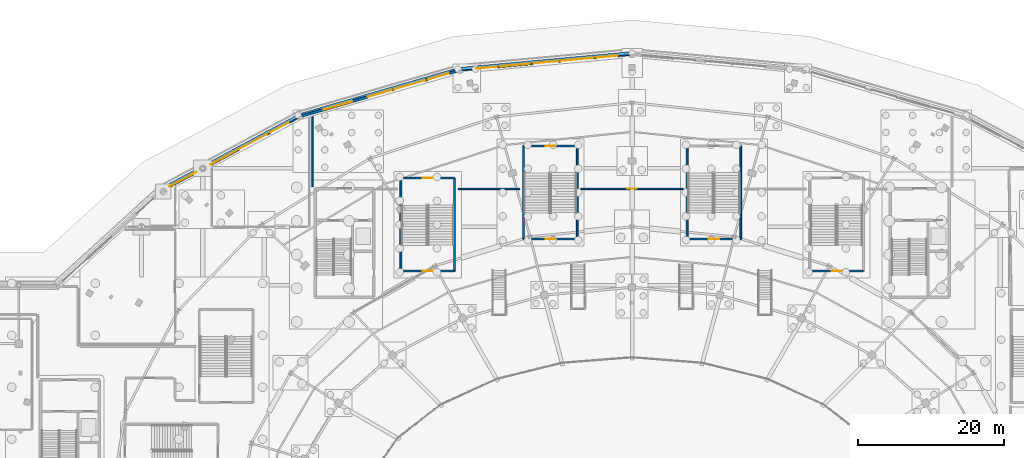
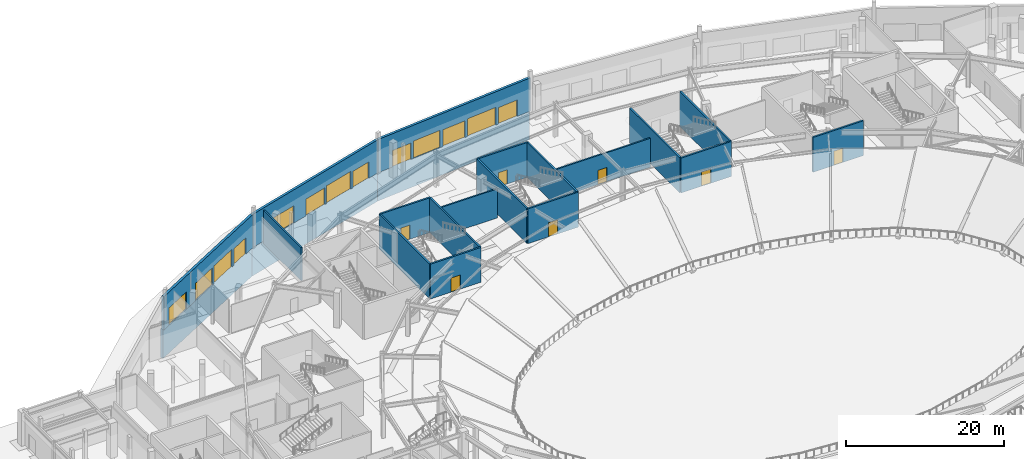
# One storey, part 58 of 93: 21 walls, 20 doors, 20 openings.
"""IFC4 building model written with IfcOpenShell, lengths in metres."""

from ifc_helpers import new_model, si_unit, direction, frame, frame_2d, origin, place, context, subcontext, project, spatial, rectangle, extrude, material, layer, layer_set, type_object, element, fill, save


model = new_model("IFC4")

# Units and contexts
model_context = context("Model", 3, precision=1e-05, world=origin(), true_north=direction((0.0, 1.0)))
body_context = subcontext(model_context, "Body", "Model", "MODEL_VIEW")
ifc_project = project(units=[si_unit("LENGTHUNIT", "METRE"), si_unit("AREAUNIT", "SQUARE_METRE"), si_unit("VOLUMEUNIT", "CUBIC_METRE"), si_unit("PLANEANGLEUNIT", "RADIAN"), si_unit("MASSUNIT", "GRAM", prefix="KILO")], contexts=[model_context])

# Site, building, storey
site_placement = place(None, origin())
site = spatial("IfcSite", under=ifc_project, at=site_placement, CompositionType="ELEMENT")
building_placement = place(site_placement, origin())
building = spatial("IfcBuilding", under=site, at=building_placement, Name="Kalgoora Escarpment Arena", CompositionType="ELEMENT")
storey_placement = place(building_placement, origin())
storey = spatial("IfcBuildingStorey", under=building, at=storey_placement, Name="L00", CompositionType="ELEMENT", Elevation=0.0)

# Wall, openings, doors
ifc_material_1 = material(Name="Cream limestone-faced precast concrete 40 MPa", Category="masonry")
ifc_layer_1 = layer(ifc_material_1, 0.360107421875)
ifc_layer_set_1 = layer_set([ifc_layer_1], Name="WAL-EXT-360")
wall_type_1 = type_object("IfcWallType", Name="WAL-EXT-360", PredefinedType="SOLIDWALL", material=ifc_layer_set_1)
wall_1_placement = place(storey_placement, frame((27.958984375, 108.934326171875, 0.0), z_axis=(0.0, 0.0, 1.0), x_axis=(0.88108153149, 0.47296441184, 0.0)))
wall_1 = element("IfcWall", 1, at=wall_1_placement, inside=storey, type_object=wall_type_1, Name="L00 limestone-faced external wall 014", PredefinedType="SOLIDWALL", context=body_context, shape_type="SweptSolid", body=[
    extrude(rectangle(XDim=21.523681640625, YDim=0.360107421875, at=frame_2d((10.76171875, 0.0))), origin(), (0.0, 0.0, 1.0), 5.14990234375),
])
opening_1_placement = place(wall_1_placement, frame((1.219970703125, 0.0, 0.0)))
opening_1 = element("IfcOpeningElement", 2, at=opening_1_placement, cuts=wall_1, Name="Opening G31", PredefinedType="OPENING", context=body_context, shape_type="SweptSolid", body=[
    extrude(rectangle(XDim=4.199951171875, YDim=2.699951171875, at=frame_2d((2.10009765625, 1.35009765625))), frame((0.0, 0.18994140625, 0.0), z_axis=(0.0, -1.0, 0.0), x_axis=(1.0, 0.0, 0.0)), (0.0, 0.0, 1.0), 0.380126953125),
])
opening_2_placement = place(wall_1_placement, frame((7.60009765625, 0.0, 0.0)))
opening_2 = element("IfcOpeningElement", 3, at=opening_2_placement, cuts=wall_1, Name="Opening G32", PredefinedType="OPENING", context=body_context, shape_type="SweptSolid", body=[
    extrude(rectangle(XDim=4.10009765625, YDim=2.699951171875, at=frame_2d((2.050048828125, 1.35009765625))), frame((0.0, 0.18994140625, 0.0), z_axis=(0.0, -1.0, 0.0), x_axis=(1.0, 0.0, 0.0)), (0.0, 0.0, 1.0), 0.380126953125),
])
opening_3_placement = place(wall_1_placement, frame((12.0, 0.0, 0.0)))
opening_3 = element("IfcOpeningElement", 4, at=opening_3_placement, cuts=wall_1, Name="Opening G33", PredefinedType="OPENING", context=body_context, shape_type="SweptSolid", body=[
    extrude(rectangle(XDim=4.39990234375, YDim=2.75, at=frame_2d((2.199951171875, 1.375))), frame((0.0, 0.18994140625, 0.0), z_axis=(0.0, -1.0, 0.0), x_axis=(1.0, 0.0, 0.0)), (0.0, 0.0, 1.0), 0.380126953125),
])
opening_4_placement = place(wall_1_placement, frame((16.840087890625, 0.0, 0.0)))
opening_4 = element("IfcOpeningElement", 5, at=opening_4_placement, cuts=wall_1, Name="Opening G58", PredefinedType="OPENING", context=body_context, shape_type="SweptSolid", body=[
    extrude(rectangle(XDim=2.89990234375, YDim=2.550048828125, at=frame_2d((1.449951171875, 1.27490234375))), frame((0.0, 0.18994140625, 0.0), z_axis=(0.0, -1.0, 0.0), x_axis=(1.0, 0.0, 0.0)), (0.0, 0.0, 1.0), 0.380126953125),
])
ifc_material_2 = material(Name="Champagne anodised aluminium acoustic egress leaf", Category="aluminium")
door_type_1 = type_object("IfcDoorType", Name="DR-EGEXIT-2700", OperationType="NOTDEFINED", PredefinedType="DOOR", material=ifc_material_2)
door_1_placement = place(opening_2_placement, origin())
door_1 = element("IfcDoor", 6, at=door_1_placement, inside=storey, type_object=door_type_1, Name="Final pedestrian exit door G32", OperationType="DOUBLE_DOOR_SINGLE_SWING", OverallHeight=2.699951171875, OverallWidth=4.10009765625, PredefinedType="DOOR", context=body_context, shape_type="SweptSolid", body=[
    extrude(rectangle(XDim=4.10009765625, YDim=2.699951171875, at=frame_2d((2.050048828125, 1.35009765625))), frame((0.0, 0.02490234375, 0.0), z_axis=(0.0, -1.0, 0.0), x_axis=(1.0, 0.0, 0.0)), (0.0, 0.0, 1.0), 0.050048828125),
])
fill(opening_2, door_1)
ifc_material_3 = material(Name="Champagne anodised aluminium acoustic egress leaf", Category="aluminium")
door_type_2 = type_object("IfcDoorType", Name="DR-EGEXIT-2750", OperationType="NOTDEFINED", PredefinedType="DOOR", material=ifc_material_3)
door_2_placement = place(opening_1_placement, origin())
door_2 = element("IfcDoor", 7, at=door_2_placement, inside=storey, type_object=door_type_2, Name="Final pedestrian exit door G31", OperationType="DOUBLE_DOOR_SINGLE_SWING", OverallHeight=2.699951171875, OverallWidth=4.199951171875, PredefinedType="DOOR", context=body_context, shape_type="SweptSolid", body=[
    extrude(rectangle(XDim=4.199951171875, YDim=2.699951171875, at=frame_2d((2.10009765625, 1.35009765625))), frame((0.0, 0.02490234375, 0.0), z_axis=(0.0, -1.0, 0.0), x_axis=(1.0, 0.0, 0.0)), (0.0, 0.0, 1.0), 0.050048828125),
])
fill(opening_1, door_2)
ifc_material_4 = material(Name="Champagne anodised aluminium acoustic egress leaf", Category="aluminium")
door_type_3 = type_object("IfcDoorType", Name="DR-EGEXIT-2850", OperationType="NOTDEFINED", PredefinedType="DOOR", material=ifc_material_4)
door_3_placement = place(opening_3_placement, origin())
door_3 = element("IfcDoor", 8, at=door_3_placement, inside=storey, type_object=door_type_3, Name="Final pedestrian exit door G33", OperationType="DOUBLE_DOOR_SINGLE_SWING", OverallHeight=2.75, OverallWidth=4.39990234375, PredefinedType="DOOR", context=body_context, shape_type="SweptSolid", body=[
    extrude(rectangle(XDim=4.39990234375, YDim=2.75, at=frame_2d((2.199951171875, 1.375))), frame((0.0, 0.02490234375, 0.0), z_axis=(0.0, -1.0, 0.0), x_axis=(1.0, 0.0, 0.0)), (0.0, 0.0, 1.0), 0.050048828125),
])
fill(opening_3, door_3)
ifc_material_5 = material(Name="Champagne anodised aluminium pedestrian egress gate leaf", Category="aluminium")
door_type_4 = type_object("IfcDoorType", Name="DR-PEDGATE-2900", OperationType="NOTDEFINED", PredefinedType="DOOR", material=ifc_material_5)
door_4_placement = place(opening_4_placement, origin())
door_4 = element("IfcDoor", 9, at=door_4_placement, inside=storey, type_object=door_type_4, Name="Final pedestrian exit door G58", OperationType="DOUBLE_DOOR_SINGLE_SWING", OverallHeight=2.550048828125, OverallWidth=2.89990234375, PredefinedType="DOOR", context=body_context, shape_type="SweptSolid", body=[
    extrude(rectangle(XDim=2.89990234375, YDim=2.550048828125, at=frame_2d((1.449951171875, 1.27490234375))), frame((0.0, 0.02490234375, 0.0), z_axis=(0.0, -1.0, 0.0), x_axis=(1.0, 0.0, 0.0)), (0.0, 0.0, 1.0), 0.050048828125),
])
fill(opening_4, door_4)

wall_2_placement = place(storey_placement, frame((46.80859375, 119.0673828125, 0.0), z_axis=(0.0, 0.0, 1.0), x_axis=(0.960488382724, 0.278320079498, 0.0)))
wall_2 = element("IfcWall", 10, at=wall_2_placement, inside=storey, type_object=wall_type_1, Name="L00 limestone-faced external wall 015", PredefinedType="SOLIDWALL", context=body_context, shape_type="SweptSolid", body=[
    extrude(rectangle(XDim=22.98681640625, YDim=0.360107421875, at=frame_2d((11.493408203125, 0.0))), origin(), (0.0, 0.0, 1.0), 5.14990234375),
])
opening_5_placement = place(wall_2_placement, frame((9.76806640625, 0.0, 0.0)))
opening_5 = element("IfcOpeningElement", 11, at=opening_5_placement, cuts=wall_2, Name="Opening E6", PredefinedType="OPENING", context=body_context, shape_type="SweptSolid", body=[
    extrude(rectangle(XDim=3.449951171875, YDim=2.60009765625, at=frame_2d((1.72509765625, 1.300048828125))), frame((0.0, 0.18994140625, 0.0), z_axis=(0.0, -1.0, 0.0), x_axis=(1.0, 0.0, 0.0)), (0.0, 0.0, 1.0), 0.380126953125),
])
opening_6_placement = place(wall_2_placement, frame((3.419921875, 0.0, 0.0)))
opening_6 = element("IfcOpeningElement", 12, at=opening_6_placement, cuts=wall_2, Name="Opening G24", PredefinedType="OPENING", context=body_context, shape_type="SweptSolid", body=[
    extrude(rectangle(XDim=4.10009765625, YDim=2.699951171875, at=frame_2d((2.050048828125, 1.35009765625))), frame((0.0, 0.18994140625, 0.0), z_axis=(0.0, -1.0, 0.0), x_axis=(1.0, 0.0, 0.0)), (0.0, 0.0, 1.0), 0.380126953125),
])
opening_7_placement = place(wall_2_placement, frame((13.5400390625, 0.0, 0.0)))
opening_7 = element("IfcOpeningElement", 13, at=opening_7_placement, cuts=wall_2, Name="Opening G25", PredefinedType="OPENING", context=body_context, shape_type="SweptSolid", body=[
    extrude(rectangle(XDim=4.39990234375, YDim=2.75, at=frame_2d((2.199951171875, 1.375))), frame((0.0, 0.18994140625, 0.0), z_axis=(0.0, -1.0, 0.0), x_axis=(1.0, 0.0, 0.0)), (0.0, 0.0, 1.0), 0.380126953125),
])
opening_8_placement = place(wall_2_placement, frame((18.3798828125, 0.0, 0.0)))
opening_8 = element("IfcOpeningElement", 14, at=opening_8_placement, cuts=wall_2, Name="Opening G52", PredefinedType="OPENING", context=body_context, shape_type="SweptSolid", body=[
    extrude(rectangle(XDim=2.89990234375, YDim=2.550048828125, at=frame_2d((1.449951171875, 1.27490234375))), frame((0.0, 0.18994140625, 0.0), z_axis=(0.0, -1.0, 0.0), x_axis=(1.0, 0.0, 0.0)), (0.0, 0.0, 1.0), 0.380126953125),
])
door_5_placement = place(opening_6_placement, origin())
door_5 = element("IfcDoor", 15, at=door_5_placement, inside=storey, type_object=door_type_1, Name="Final pedestrian exit door G24", OperationType="DOUBLE_DOOR_SINGLE_SWING", OverallHeight=2.699951171875, OverallWidth=4.10009765625, PredefinedType="DOOR", context=body_context, shape_type="SweptSolid", body=[
    extrude(rectangle(XDim=4.10009765625, YDim=2.699951171875, at=frame_2d((2.050048828125, 1.35009765625))), frame((0.0, 0.02490234375, 0.0), z_axis=(0.0, -1.0, 0.0), x_axis=(1.0, 0.0, 0.0)), (0.0, 0.0, 1.0), 0.050048828125),
])
fill(opening_6, door_5)
door_6_placement = place(opening_7_placement, origin())
door_6 = element("IfcDoor", 16, at=door_6_placement, inside=storey, type_object=door_type_3, Name="Final pedestrian exit door G25", OperationType="DOUBLE_DOOR_SINGLE_SWING", OverallHeight=2.75, OverallWidth=4.39990234375, PredefinedType="DOOR", context=body_context, shape_type="SweptSolid", body=[
    extrude(rectangle(XDim=4.39990234375, YDim=2.75, at=frame_2d((2.199951171875, 1.375))), frame((0.0, 0.02490234375, 0.0), z_axis=(0.0, -1.0, 0.0), x_axis=(1.0, 0.0, 0.0)), (0.0, 0.0, 1.0), 0.050048828125),
])
fill(opening_7, door_6)
ifc_material_6 = material(Name="Champagne anodised aluminium & toughened glass", Category="aluminium")
door_type_5 = type_object("IfcDoorType", Name="DR-MAIN-3450", OperationType="NOTDEFINED", PredefinedType="DOOR", material=ifc_material_6)
door_7_placement = place(opening_5_placement, origin())
door_7 = element("IfcDoor", 17, at=door_7_placement, inside=storey, type_object=door_type_5, Name="Main entrance E6", OperationType="DOUBLE_DOOR_SINGLE_SWING", OverallHeight=2.60009765625, OverallWidth=3.449951171875, PredefinedType="DOOR", context=body_context, shape_type="SweptSolid", body=[
    extrude(rectangle(XDim=3.449951171875, YDim=2.60009765625, at=frame_2d((1.72509765625, 1.300048828125))), frame((0.0, 0.02490234375, 0.0), z_axis=(0.0, -1.0, 0.0), x_axis=(1.0, 0.0, 0.0)), (0.0, 0.0, 1.0), 0.050048828125),
])
fill(opening_5, door_7)
door_8_placement = place(opening_8_placement, origin())
door_8 = element("IfcDoor", 18, at=door_8_placement, inside=storey, type_object=door_type_4, Name="Final pedestrian exit door G52", OperationType="DOUBLE_DOOR_SINGLE_SWING", OverallHeight=2.550048828125, OverallWidth=2.89990234375, PredefinedType="DOOR", context=body_context, shape_type="SweptSolid", body=[
    extrude(rectangle(XDim=2.89990234375, YDim=2.550048828125, at=frame_2d((1.449951171875, 1.27490234375))), frame((0.0, 0.02490234375, 0.0), z_axis=(0.0, -1.0, 0.0), x_axis=(1.0, 0.0, 0.0)), (0.0, 0.0, 1.0), 0.050048828125),
])
fill(opening_8, door_8)

wall_3_placement = place(storey_placement, frame((68.769287109375, 125.44287109375, 0.0), z_axis=(0.0, 0.0, 1.0), x_axis=(0.995785515714, 0.09171263105, 0.0)))
wall_3 = element("IfcWall", 19, at=wall_3_placement, inside=storey, type_object=wall_type_1, Name="L00 limestone-faced external wall 016", PredefinedType="SOLIDWALL", context=body_context, shape_type="SweptSolid", body=[
    extrude(rectangle(XDim=23.79052734375, YDim=0.360107421875, at=frame_2d((11.895263671875, 0.0))), origin(), (0.0, 0.0, 1.0), 5.14990234375),
])
opening_9_placement = place(wall_3_placement, frame((2.31005859375, 0.0, 0.0)))
opening_9 = element("IfcOpeningElement", 20, at=opening_9_placement, cuts=wall_3, Name="Opening G01", PredefinedType="OPENING", context=body_context, shape_type="SweptSolid", body=[
    extrude(rectangle(XDim=2.89990234375, YDim=2.550048828125, at=frame_2d((1.449951171875, 1.27490234375))), frame((0.0, 0.18994140625, 0.0), z_axis=(0.0, -1.0, 0.0), x_axis=(1.0, 0.0, 0.0)), (0.0, 0.0, 1.0), 0.380126953125),
])
opening_10_placement = place(wall_3_placement, frame((10.169921875, 0.0, 0.0)))
opening_10 = element("IfcOpeningElement", 21, at=opening_10_placement, cuts=wall_3, Name="Opening E2", PredefinedType="OPENING", context=body_context, shape_type="SweptSolid", body=[
    extrude(rectangle(XDim=3.449951171875, YDim=2.60009765625, at=frame_2d((1.72509765625, 1.300048828125))), frame((0.0, 0.18994140625, 0.0), z_axis=(0.0, -1.0, 0.0), x_axis=(1.0, 0.0, 0.0)), (0.0, 0.0, 1.0), 0.380126953125),
])
opening_11_placement = place(wall_3_placement, frame((5.6201171875, 0.0, 0.0)))
opening_11 = element("IfcOpeningElement", 22, at=opening_11_placement, cuts=wall_3, Name="Opening G16", PredefinedType="OPENING", context=body_context, shape_type="SweptSolid", body=[
    extrude(rectangle(XDim=4.10009765625, YDim=2.699951171875, at=frame_2d((2.050048828125, 1.35009765625))), frame((0.0, 0.18994140625, 0.0), z_axis=(0.0, -1.0, 0.0), x_axis=(1.0, 0.0, 0.0)), (0.0, 0.0, 1.0), 0.380126953125),
])
opening_12_placement = place(wall_3_placement, frame((13.97998046875, 0.0, 0.0)))
opening_12 = element("IfcOpeningElement", 23, at=opening_12_placement, cuts=wall_3, Name="Opening G17", PredefinedType="OPENING", context=body_context, shape_type="SweptSolid", body=[
    extrude(rectangle(XDim=4.39990234375, YDim=2.75, at=frame_2d((2.199951171875, 1.375))), frame((0.0, 0.18994140625, 0.0), z_axis=(0.0, -1.0, 0.0), x_axis=(1.0, 0.0, 0.0)), (0.0, 0.0, 1.0), 0.380126953125),
])
opening_13_placement = place(wall_3_placement, frame((18.820068359375, 0.0, 0.0)))
opening_13 = element("IfcOpeningElement", 24, at=opening_13_placement, cuts=wall_3, Name="Opening G49", PredefinedType="OPENING", context=body_context, shape_type="SweptSolid", body=[
    extrude(rectangle(XDim=2.89990234375, YDim=2.550048828125, at=frame_2d((1.449951171875, 1.27490234375))), frame((0.0, 0.18994140625, 0.0), z_axis=(0.0, -1.0, 0.0), x_axis=(1.0, 0.0, 0.0)), (0.0, 0.0, 1.0), 0.380126953125),
])
door_9_placement = place(opening_11_placement, origin())
door_9 = element("IfcDoor", 25, at=door_9_placement, inside=storey, type_object=door_type_1, Name="Final pedestrian exit door G16", OperationType="DOUBLE_DOOR_SINGLE_SWING", OverallHeight=2.699951171875, OverallWidth=4.10009765625, PredefinedType="DOOR", context=body_context, shape_type="SweptSolid", body=[
    extrude(rectangle(XDim=4.10009765625, YDim=2.699951171875, at=frame_2d((2.050048828125, 1.35009765625))), frame((0.0, 0.02490234375, 0.0), z_axis=(0.0, -1.0, 0.0), x_axis=(1.0, 0.0, 0.0)), (0.0, 0.0, 1.0), 0.050048828125),
])
fill(opening_11, door_9)
door_10_placement = place(opening_12_placement, origin())
door_10 = element("IfcDoor", 26, at=door_10_placement, inside=storey, type_object=door_type_3, Name="Final pedestrian exit door G17", OperationType="DOUBLE_DOOR_SINGLE_SWING", OverallHeight=2.75, OverallWidth=4.39990234375, PredefinedType="DOOR", context=body_context, shape_type="SweptSolid", body=[
    extrude(rectangle(XDim=4.39990234375, YDim=2.75, at=frame_2d((2.199951171875, 1.375))), frame((0.0, 0.02490234375, 0.0), z_axis=(0.0, -1.0, 0.0), x_axis=(1.0, 0.0, 0.0)), (0.0, 0.0, 1.0), 0.050048828125),
])
fill(opening_12, door_10)
door_11_placement = place(opening_10_placement, origin())
door_11 = element("IfcDoor", 27, at=door_11_placement, inside=storey, type_object=door_type_5, Name="Main entrance E2", OperationType="DOUBLE_DOOR_SINGLE_SWING", OverallHeight=2.60009765625, OverallWidth=3.449951171875, PredefinedType="DOOR", context=body_context, shape_type="SweptSolid", body=[
    extrude(rectangle(XDim=3.449951171875, YDim=2.60009765625, at=frame_2d((1.72509765625, 1.300048828125))), frame((0.0, 0.02490234375, 0.0), z_axis=(0.0, -1.0, 0.0), x_axis=(1.0, 0.0, 0.0)), (0.0, 0.0, 1.0), 0.050048828125),
])
fill(opening_10, door_11)
door_12_placement = place(opening_9_placement, origin())
door_12 = element("IfcDoor", 28, at=door_12_placement, inside=storey, type_object=door_type_4, Name="Final pedestrian exit door G01", OperationType="DOUBLE_DOOR_SINGLE_SWING", OverallHeight=2.550048828125, OverallWidth=2.89990234375, PredefinedType="DOOR", context=body_context, shape_type="SweptSolid", body=[
    extrude(rectangle(XDim=2.89990234375, YDim=2.550048828125, at=frame_2d((1.449951171875, 1.27490234375))), frame((0.0, 0.02490234375, 0.0), z_axis=(0.0, -1.0, 0.0), x_axis=(1.0, 0.0, 0.0)), (0.0, 0.0, 1.0), 0.050048828125),
])
fill(opening_9, door_12)
door_13_placement = place(opening_13_placement, origin())
door_13 = element("IfcDoor", 29, at=door_13_placement, inside=storey, type_object=door_type_4, Name="Final pedestrian exit door G49", OperationType="DOUBLE_DOOR_SINGLE_SWING", OverallHeight=2.550048828125, OverallWidth=2.89990234375, PredefinedType="DOOR", context=body_context, shape_type="SweptSolid", body=[
    extrude(rectangle(XDim=2.89990234375, YDim=2.550048828125, at=frame_2d((1.449951171875, 1.27490234375))), frame((0.0, 0.02490234375, 0.0), z_axis=(0.0, -1.0, 0.0), x_axis=(1.0, 0.0, 0.0)), (0.0, 0.0, 1.0), 0.050048828125),
])
fill(opening_13, door_13)

# Wall, opening, door
ifc_material_7 = material(Name="Autoclaved aerated blockwork Concrete N40 (fc' 40 MPa)", Category="masonry")
ifc_layer_2 = layer(ifc_material_7, 0.219970703125)
ifc_layer_set_2 = layer_set([ifc_layer_2], Name="WAL-FIRE-220")
wall_type_2 = type_object("IfcWallType", Name="WAL-FIRE-220", PredefinedType="SOLIDWALL", material=ifc_layer_set_2)
wall_4_placement = place(storey_placement, frame((99.425048828125, 109.199951171875, 0.0), z_axis=(0.0, 0.0, 1.0), x_axis=(-1.0, 0.0, 0.0)))
wall_4 = element("IfcWall", 30, at=wall_4_placement, inside=storey, type_object=wall_type_2, Name="L00 North Protected Exit Passageway partition wall", PredefinedType="SOLIDWALL", context=body_context, shape_type="SweptSolid", body=[
    extrude(rectangle(XDim=14.050048828125, YDim=0.219970703125, at=frame_2d((7.02490234375, 0.0))), origin(), (0.0, 0.0, 1.0), 4.48291015625),
])
opening_14_placement = place(wall_4_placement, frame((6.364990234375, 0.0, 0.0)))
opening_14 = element("IfcOpeningElement", 31, at=opening_14_placement, cuts=wall_4, Name="Opening FD-I033", PredefinedType="OPENING", context=body_context, shape_type="SweptSolid", body=[
    extrude(rectangle(XDim=1.320068359375, YDim=2.199951171875, at=frame_2d((0.66015625, 1.10009765625))), frame((0.0, 0.119873046875, 0.0), z_axis=(0.0, -1.0, 0.0), x_axis=(1.0, 0.0, 0.0)), (0.0, 0.0, 1.0), 0.239990234375),
])
ifc_material_8 = material(Name="Fire-rated steel stair leaf with vision panel", Category="steel")
door_type_6 = type_object("IfcDoorType", Name="DR-STAIR-1320", OperationType="NOTDEFINED", PredefinedType="DOOR", material=ifc_material_8)
door_14_placement = place(opening_14_placement, origin())
door_14 = element("IfcDoor", 32, at=door_14_placement, inside=storey, type_object=door_type_6, Name="North Protected Exit Passageway entrance door", OperationType="SINGLE_SWING_RIGHT", OverallHeight=2.199951171875, OverallWidth=1.320068359375, PredefinedType="DOOR", context=body_context, shape_type="SweptSolid", body=[
    extrude(rectangle(XDim=1.320068359375, YDim=2.199951171875, at=frame_2d((0.66015625, 1.10009765625))), frame((0.0, 0.02490234375, 0.0), z_axis=(0.0, -1.0, 0.0), x_axis=(1.0, 0.0, 0.0)), (0.0, 0.0, 1.0), 0.050048828125),
])
fill(opening_14, door_14)

# Walls
wall_5_placement = place(storey_placement, frame((77.02490234375, 109.199951171875, 0.0), z_axis=(0.0, 0.0, 1.0), x_axis=(-1.0, 0.0, 0.0)))
element("IfcWall", 33, at=wall_5_placement, inside=storey, type_object=wall_type_2, Name="L00 North Protected Exit Passageway partition wall", PredefinedType="SOLIDWALL", context=body_context, shape_type="SweptSolid", body=[
    extrude(rectangle(XDim=8.449951171875, YDim=0.219970703125, at=frame_2d((4.22509765625, 0.0))), origin(), (0.0, 0.0, 1.0), 4.492919921875),
])
wall_6_placement = place(storey_placement, frame((48.60009765625, 109.493408203125, 0.0), z_axis=(0.0, 0.0, 1.0), x_axis=(0.0, 1.0, 0.0)))
element("IfcWall", 34, at=wall_6_placement, inside=storey, type_object=wall_type_2, Name="L00 North Protected Exit Passageway partition wall", PredefinedType="SOLIDWALL", context=body_context, shape_type="SweptSolid", body=[
    extrude(rectangle(XDim=9.544677734375, YDim=0.219970703125, at=frame_2d((4.7724609375, 0.0))), origin(), (0.0, 0.0, 1.0), 5.1298828125),
])
ifc_material_9 = material(Name="Concrete N40 (fc' 40 MPa)", Category="concrete")
ifc_layer_3 = layer(ifc_material_9, 0.39501953125)
ifc_layer_set_3 = layer_set([ifc_layer_3], Name="WAL-RET-395")
wall_type_3 = type_object("IfcWallType", Name="WAL-RET-395", PredefinedType="USERDEFINED", material=ifc_layer_set_3)
wall_7_placement = place(storey_placement, frame((27.911865234375, 109.11328125, -4.5), z_axis=(0.0, 0.0, 1.0), x_axis=(0.881081793717, 0.472963923339, 0.0)))
element("IfcWall", 35, at=wall_7_placement, inside=storey, type_object=wall_type_3, Name="Escarpment stepped limestone plinth retaining wall 12", ObjectType="RETAININGWALL", PredefinedType="USERDEFINED", context=body_context, shape_type="SweptSolid", body=[
    extrude(rectangle(XDim=21.4375, YDim=0.39501953125, at=frame_2d((10.71875, 0.0))), origin(), (0.0, 0.0, 1.0), 4.5),
])
wall_8_placement = place(storey_placement, frame((68.795654296875, 125.626220703125, -4.5), z_axis=(0.0, 0.0, 1.0), x_axis=(0.995786061743, 0.091706702251, 0.0)))
element("IfcWall", 36, at=wall_8_placement, inside=storey, type_object=wall_type_3, Name="Escarpment stepped limestone plinth retaining wall 14", ObjectType="RETAININGWALL", PredefinedType="USERDEFINED", context=body_context, shape_type="SweptSolid", body=[
    extrude(rectangle(XDim=23.7041015625, YDim=0.39501953125, at=frame_2d((11.85205078125, 0.0))), origin(), (0.0, 0.0, 1.0), 4.5),
])
ifc_material_10 = material(Name="Concrete N40 (fc' 40 MPa)", Category="concrete")
ifc_layer_4 = layer(ifc_material_10, 0.43994140625)
ifc_layer_set_4 = layer_set([ifc_layer_4], Name="WAL-RET-440")
wall_type_4 = type_object("IfcWallType", Name="WAL-RET-440", PredefinedType="USERDEFINED", material=ifc_layer_set_4)
wall_9_placement = place(storey_placement, frame((46.800048828125, 119.25244140625, -4.5), z_axis=(0.0, 0.0, 1.0), x_axis=(0.960486896269, 0.278325209236, 0.0)))
element("IfcWall", 37, at=wall_9_placement, inside=storey, type_object=wall_type_4, Name="Escarpment stepped limestone plinth retaining wall 13", ObjectType="RETAININGWALL", PredefinedType="USERDEFINED", context=body_context, shape_type="SweptSolid", body=[
    extrude(rectangle(XDim=22.900390625, YDim=0.43994140625, at=frame_2d((11.4501953125, 0.0))), origin(), (0.0, 0.0, 1.0), 4.5),
])

# Wall, opening, door
ifc_material_11 = material(Name="Concrete N50 (fc' 50 MPa)", Category="concrete")
ifc_layer_5 = layer(ifc_material_11, 0.25)
ifc_layer_set_5 = layer_set([ifc_layer_5], Name="WAL-STAIR-250")
wall_type_5 = type_object("IfcWallType", Name="WAL-STAIR-250", PredefinedType="SHEAR", material=ifc_layer_set_5)
wall_10_placement = place(storey_placement, frame((60.72509765625, 97.925048828125, 0.0), z_axis=(0.0, 0.0, 1.0), x_axis=(1.0, 0.0, 0.0)))
wall_10 = element("IfcWall", 38, at=wall_10_placement, inside=storey, type_object=wall_type_5, Name="Exit stair ST09 L00 south wall", PredefinedType="SHEAR", context=body_context, shape_type="SweptSolid", body=[
    extrude(rectangle(XDim=7.349853515625, YDim=0.25, at=frame_2d((3.6748046875, 0.0))), origin(), (0.0, 0.0, 1.0), 5.39990234375),
])
opening_15_placement = place(wall_10_placement, frame((2.97509765625, 0.0, 0.0)))
opening_15 = element("IfcOpeningElement", 39, at=opening_15_placement, cuts=wall_10, Name="Opening FD-ST09", PredefinedType="OPENING", context=body_context, shape_type="SweptSolid", body=[
    extrude(rectangle(XDim=1.39990234375, YDim=2.199951171875, at=frame_2d((0.699951171875, 1.10009765625))), frame((0.0, 0.135009765625, 0.0), z_axis=(0.0, -1.0, 0.0), x_axis=(1.0, 0.0, 0.0)), (0.0, 0.0, 1.0), 0.27001953125),
])
ifc_material_12 = material(Name="Fire-rated steel stair leaf with vision panel", Category="steel")
door_type_7 = type_object("IfcDoorType", Name="DR-STAIR-1400", OperationType="NOTDEFINED", PredefinedType="DOOR", material=ifc_material_12)
door_15_placement = place(opening_15_placement, origin())
door_15 = element("IfcDoor", 40, at=door_15_placement, inside=storey, type_object=door_type_7, Name="Fire-isolated stair ST09 L00 egress door", OperationType="SINGLE_SWING_LEFT", OverallHeight=2.199951171875, OverallWidth=1.39990234375, PredefinedType="DOOR", context=body_context, shape_type="SweptSolid", body=[
    extrude(rectangle(XDim=1.39990234375, YDim=2.199951171875, at=frame_2d((0.699951171875, 1.10009765625))), frame((0.0, 0.02490234375, 0.0), z_axis=(0.0, -1.0, 0.0), x_axis=(1.0, 0.0, 0.0)), (0.0, 0.0, 1.0), 0.050048828125),
])
fill(opening_15, door_15)

wall_11_placement = place(storey_placement, frame((60.72509765625, 110.675048828125, 0.0), z_axis=(0.0, 0.0, 1.0), x_axis=(1.0, 0.0, 0.0)))
wall_11 = element("IfcWall", 41, at=wall_11_placement, inside=storey, type_object=wall_type_5, Name="Exit stair ST09 L00 north wall", PredefinedType="SHEAR", context=body_context, shape_type="SweptSolid", body=[
    extrude(rectangle(XDim=7.349853515625, YDim=0.25, at=frame_2d((3.6748046875, 0.0))), origin(), (0.0, 0.0, 1.0), 5.39990234375),
])
opening_16_placement = place(wall_11_placement, frame((3.014892578125, 0.0, 0.0)))
opening_16 = element("IfcOpeningElement", 42, at=opening_16_placement, cuts=wall_11, Name="Opening FD-ST09X", PredefinedType="OPENING", context=body_context, shape_type="SweptSolid", body=[
    extrude(rectangle(XDim=1.320068359375, YDim=2.199951171875, at=frame_2d((0.66015625, 1.10009765625))), frame((0.0, 0.135009765625, 0.0), z_axis=(0.0, -1.0, 0.0), x_axis=(1.0, 0.0, 0.0)), (0.0, 0.0, 1.0), 0.27001953125),
])
door_16_placement = place(opening_16_placement, origin())
door_16 = element("IfcDoor", 43, at=door_16_placement, inside=storey, type_object=door_type_6, Name="Fire-isolated stair ST09 L00 protected discharge door", OperationType="SINGLE_SWING_LEFT", OverallHeight=2.199951171875, OverallWidth=1.320068359375, PredefinedType="DOOR", context=body_context, shape_type="SweptSolid", body=[
    extrude(rectangle(XDim=1.320068359375, YDim=2.199951171875, at=frame_2d((0.66015625, 1.10009765625))), frame((0.0, 0.02490234375, 0.0), z_axis=(0.0, -1.0, 0.0), x_axis=(1.0, 0.0, 0.0)), (0.0, 0.0, 1.0), 0.050048828125),
])
fill(opening_16, door_16)

# Walls
for number, where, z_axis, x_axis, name in (
    (44, (60.72509765625, 97.925048828125, 0.0), (0.0, 0.0, 1.0), (0.0, 1.0, 0.0), "Exit stair ST09 L00 west wall"),
    (45, (68.074951171875, 97.925048828125, 0.0), (0.0, 0.0, 1.0), (0.0, 1.0, 0.0), "Exit stair ST09 L00 east wall"),
):
    element("IfcWall", number, at=place(storey_placement, frame(where, z_axis=z_axis, x_axis=x_axis)), inside=storey, type_object=wall_type_5, Name=name, PredefinedType="SHEAR", context=body_context, shape_type="SweptSolid", body=[
        extrude(rectangle(XDim=12.75, YDim=0.25, at=frame_2d((6.375, 0.0))), origin(), (0.0, 0.0, 1.0), 5.39990234375),
    ])

# Wall, opening, door
wall_12_placement = place(storey_placement, frame((77.52490234375, 102.324951171875, 0.0), z_axis=(0.0, 0.0, 1.0), x_axis=(1.0, 0.0, 0.0)))
wall_12 = element("IfcWall", 46, at=wall_12_placement, inside=storey, type_object=wall_type_5, Name="Exit stair ST10 L00 south wall", PredefinedType="SHEAR", context=body_context, shape_type="SweptSolid", body=[
    extrude(rectangle(XDim=7.35009765625, YDim=0.25, at=frame_2d((3.675048828125, 0.0))), origin(), (0.0, 0.0, 1.0), 5.39990234375),
])
opening_17_placement = place(wall_12_placement, frame((3.014892578125, 0.0, 0.0)))
opening_17 = element("IfcOpeningElement", 47, at=opening_17_placement, cuts=wall_12, Name="Opening FD-ST10", PredefinedType="OPENING", context=body_context, shape_type="SweptSolid", body=[
    extrude(rectangle(XDim=1.320068359375, YDim=2.199951171875, at=frame_2d((0.66015625, 1.10009765625))), frame((0.0, 0.135009765625, 0.0), z_axis=(0.0, -1.0, 0.0), x_axis=(1.0, 0.0, 0.0)), (0.0, 0.0, 1.0), 0.27001953125),
])
door_17_placement = place(opening_17_placement, origin())
door_17 = element("IfcDoor", 48, at=door_17_placement, inside=storey, type_object=door_type_6, Name="Fire-isolated stair ST10 L00 egress door", OperationType="SINGLE_SWING_LEFT", OverallHeight=2.199951171875, OverallWidth=1.320068359375, PredefinedType="DOOR", context=body_context, shape_type="SweptSolid", body=[
    extrude(rectangle(XDim=1.320068359375, YDim=2.199951171875, at=frame_2d((0.66015625, 1.10009765625))), frame((0.0, 0.02490234375, 0.0), z_axis=(0.0, -1.0, 0.0), x_axis=(1.0, 0.0, 0.0)), (0.0, 0.0, 1.0), 0.050048828125),
])
fill(opening_17, door_17)

wall_13_placement = place(storey_placement, frame((77.52490234375, 115.074951171875, 0.0), z_axis=(0.0, 0.0, 1.0), x_axis=(1.0, 0.0, 0.0)))
wall_13 = element("IfcWall", 49, at=wall_13_placement, inside=storey, type_object=wall_type_5, Name="Exit stair ST10 L00 north wall", PredefinedType="SHEAR", context=body_context, shape_type="SweptSolid", body=[
    extrude(rectangle(XDim=7.35009765625, YDim=0.25, at=frame_2d((3.675048828125, 0.0))), origin(), (0.0, 0.0, 1.0), 5.39990234375),
])
opening_18_placement = place(wall_13_placement, frame((3.014892578125, 0.0, 0.0)))
opening_18 = element("IfcOpeningElement", 50, at=opening_18_placement, cuts=wall_13, Name="Opening FD-ST10X", PredefinedType="OPENING", context=body_context, shape_type="SweptSolid", body=[
    extrude(rectangle(XDim=1.320068359375, YDim=2.199951171875, at=frame_2d((0.66015625, 1.10009765625))), frame((0.0, 0.135009765625, 0.0), z_axis=(0.0, -1.0, 0.0), x_axis=(1.0, 0.0, 0.0)), (0.0, 0.0, 1.0), 0.27001953125),
])
door_18_placement = place(opening_18_placement, origin())
door_18 = element("IfcDoor", 51, at=door_18_placement, inside=storey, type_object=door_type_6, Name="Fire-isolated stair ST10 L00 protected discharge door", OperationType="SINGLE_SWING_RIGHT", OverallHeight=2.199951171875, OverallWidth=1.320068359375, PredefinedType="DOOR", context=body_context, shape_type="SweptSolid", body=[
    extrude(rectangle(XDim=1.320068359375, YDim=2.199951171875, at=frame_2d((0.66015625, 1.10009765625))), frame((0.0, 0.02490234375, 0.0), z_axis=(0.0, -1.0, 0.0), x_axis=(1.0, 0.0, 0.0)), (0.0, 0.0, 1.0), 0.050048828125),
])
fill(opening_18, door_18)

# Walls
for number, where, z_axis, x_axis, name in (
    (52, (77.52490234375, 102.324951171875, 0.0), (0.0, 0.0, 1.0), (0.0, 1.0, 0.0), "Exit stair ST10 L00 west wall"),
    (53, (84.875, 102.324951171875, 0.0), (0.0, 0.0, 1.0), (0.0, 1.0, 0.0), "Exit stair ST10 L00 east wall"),
):
    element("IfcWall", number, at=place(storey_placement, frame(where, z_axis=z_axis, x_axis=x_axis)), inside=storey, type_object=wall_type_5, Name=name, PredefinedType="SHEAR", context=body_context, shape_type="SweptSolid", body=[
        extrude(rectangle(XDim=12.75, YDim=0.25, at=frame_2d((6.375, 0.0))), origin(), (0.0, 0.0, 1.0), 5.39990234375),
    ])

# Wall, opening, door
wall_14_placement = place(storey_placement, frame((99.925048828125, 102.324951171875, 0.0), z_axis=(0.0, 0.0, 1.0), x_axis=(1.0, 0.0, 0.0)))
wall_14 = element("IfcWall", 54, at=wall_14_placement, inside=storey, type_object=wall_type_5, Name="Exit stair ST11 L00 south wall", PredefinedType="SHEAR", context=body_context, shape_type="SweptSolid", body=[
    extrude(rectangle(XDim=7.349853515625, YDim=0.25, at=frame_2d((3.6748046875, 0.0))), origin(), (0.0, 0.0, 1.0), 5.39990234375),
])
opening_19_placement = place(wall_14_placement, frame((2.97509765625, 0.0, 0.0)))
opening_19 = element("IfcOpeningElement", 55, at=opening_19_placement, cuts=wall_14, Name="Opening FD-ST11", PredefinedType="OPENING", context=body_context, shape_type="SweptSolid", body=[
    extrude(rectangle(XDim=1.39990234375, YDim=2.199951171875, at=frame_2d((0.699951171875, 1.10009765625))), frame((0.0, 0.135009765625, 0.0), z_axis=(0.0, -1.0, 0.0), x_axis=(1.0, 0.0, 0.0)), (0.0, 0.0, 1.0), 0.27001953125),
])
door_19_placement = place(opening_19_placement, origin())
door_19 = element("IfcDoor", 56, at=door_19_placement, inside=storey, type_object=door_type_7, Name="Fire-isolated stair ST11 L00 egress door", OperationType="SINGLE_SWING_RIGHT", OverallHeight=2.199951171875, OverallWidth=1.39990234375, PredefinedType="DOOR", context=body_context, shape_type="SweptSolid", body=[
    extrude(rectangle(XDim=1.39990234375, YDim=2.199951171875, at=frame_2d((0.699951171875, 1.10009765625))), frame((0.0, 0.02490234375, 0.0), z_axis=(0.0, -1.0, 0.0), x_axis=(1.0, 0.0, 0.0)), (0.0, 0.0, 1.0), 0.050048828125),
])
fill(opening_19, door_19)

# Walls
for number, where, z_axis, x_axis, name in (
    (57, (99.925048828125, 102.324951171875, 0.0), (0.0, 0.0, 1.0), (0.0, 1.0, 0.0), "Exit stair ST11 L00 west wall"),
    (58, (107.27490234375, 102.324951171875, 0.0), (0.0, 0.0, 1.0), (0.0, 1.0, 0.0), "Exit stair ST11 L00 east wall"),
):
    element("IfcWall", number, at=place(storey_placement, frame(where, z_axis=z_axis, x_axis=x_axis)), inside=storey, type_object=wall_type_5, Name=name, PredefinedType="SHEAR", context=body_context, shape_type="SweptSolid", body=[
        extrude(rectangle(XDim=12.75, YDim=0.25, at=frame_2d((6.375, 0.0))), origin(), (0.0, 0.0, 1.0), 5.39990234375),
    ])

# Wall, opening, door
wall_15_placement = place(storey_placement, frame((116.72509765625, 97.925048828125, 0.0), z_axis=(0.0, 0.0, 1.0), x_axis=(1.0, 0.0, 0.0)))
wall_15 = element("IfcWall", 59, at=wall_15_placement, inside=storey, type_object=wall_type_5, Name="Exit stair ST12 L00 south wall", PredefinedType="SHEAR", context=body_context, shape_type="SweptSolid", body=[
    extrude(rectangle(XDim=7.349853515625, YDim=0.25, at=frame_2d((3.6748046875, 0.0))), origin(), (0.0, 0.0, 1.0), 5.39990234375),
])
opening_20_placement = place(wall_15_placement, frame((3.014892578125, 0.0, 0.0)))
opening_20 = element("IfcOpeningElement", 60, at=opening_20_placement, cuts=wall_15, Name="Opening FD-ST12", PredefinedType="OPENING", context=body_context, shape_type="SweptSolid", body=[
    extrude(rectangle(XDim=1.320068359375, YDim=2.199951171875, at=frame_2d((0.66015625, 1.10009765625))), frame((0.0, 0.135009765625, 0.0), z_axis=(0.0, -1.0, 0.0), x_axis=(1.0, 0.0, 0.0)), (0.0, 0.0, 1.0), 0.27001953125),
])
door_20_placement = place(opening_20_placement, origin())
door_20 = element("IfcDoor", 61, at=door_20_placement, inside=storey, type_object=door_type_6, Name="Fire-isolated stair ST12 L00 egress door", OperationType="SINGLE_SWING_LEFT", OverallHeight=2.199951171875, OverallWidth=1.320068359375, PredefinedType="DOOR", context=body_context, shape_type="SweptSolid", body=[
    extrude(rectangle(XDim=1.320068359375, YDim=2.199951171875, at=frame_2d((0.66015625, 1.10009765625))), frame((0.0, 0.02490234375, 0.0), z_axis=(0.0, -1.0, 0.0), x_axis=(1.0, 0.0, 0.0)), (0.0, 0.0, 1.0), 0.050048828125),
])
fill(opening_20, door_20)

save(model, "model.ifc")
